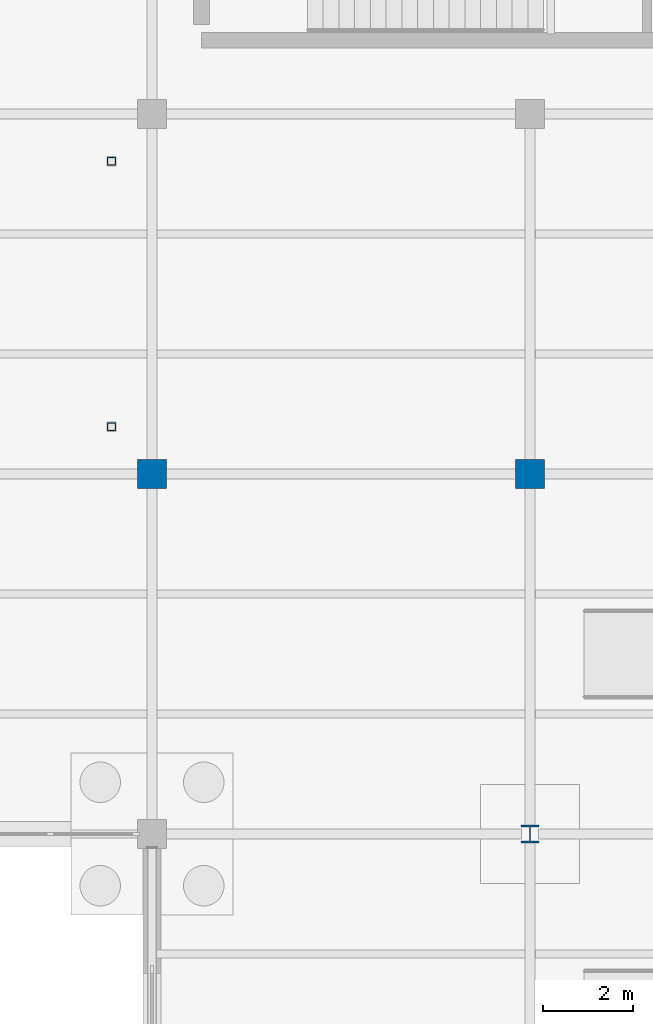
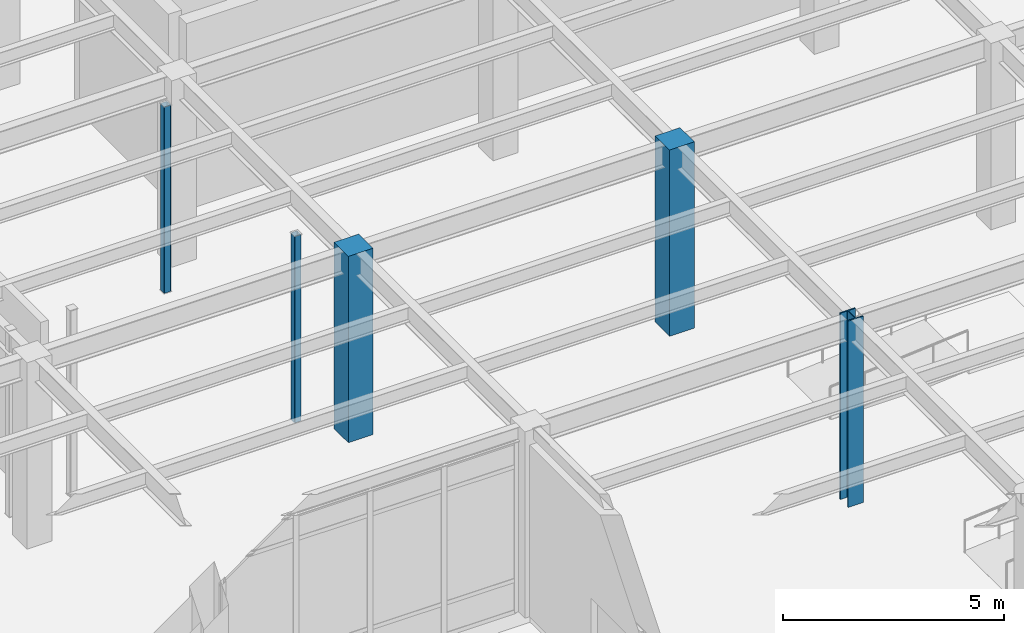
# One storey, part 7 of 138: 5 columns.
"""IFC4 building model written with IfcOpenShell, lengths in metres."""

from ifc_helpers import new_model, si_unit, direction, frame, origin, origin_2d, place, context, subcontext, project, spatial, rectangle, hollow_rectangle, i_section, extrude, material, material_profile, profile_set, type_object, element, save


model = new_model("IFC4")

# Units and contexts
model_context = context("Model", 3, precision=1e-05, world=origin(), true_north=direction((0.0, 1.0)))
body_context = subcontext(model_context, "Body", "Model", "MODEL_VIEW")
ifc_project = project(units=[si_unit("LENGTHUNIT", "METRE"), si_unit("AREAUNIT", "SQUARE_METRE"), si_unit("VOLUMEUNIT", "CUBIC_METRE"), si_unit("PLANEANGLEUNIT", "RADIAN"), si_unit("MASSUNIT", "GRAM", prefix="KILO")], contexts=[model_context])

# Site, building, storey
site_placement = place(None, origin())
site = spatial("IfcSite", under=ifc_project, at=site_placement, CompositionType="ELEMENT")
building_placement = place(site_placement, origin())
building = spatial("IfcBuilding", under=site, at=building_placement, Name="Kranzveld Transit Interchange", CompositionType="ELEMENT")
storey_placement = place(building_placement, origin())
storey = spatial("IfcBuildingStorey", under=building, at=storey_placement, Name="L00", CompositionType="ELEMENT", Elevation=0.0)

# Columns
ifc_material_1 = material(Name="Concrete C35/45", Category="concrete")
ifc_material_profile_1 = material_profile(ifc_material_1, rectangle(XDim=0.64990234375, YDim=0.64990234375, at=origin_2d()), Name="RC 650x650")
ifc_profile_set_1 = profile_set([ifc_material_profile_1], Name="Concrete C35/45")
column_type_1 = type_object("IfcColumnType", Name="Column RC 650x650 C35/45", PredefinedType="COLUMN", material=ifc_profile_set_1)
for number, where, z_axis, x_axis, name in (
    (1, (50.39990234375, 24.0, 0.0), (0.0, 0.0, 1.0), (1.0, 0.0, 0.0), "L00 Column 07/D"),
    (2, (58.800048828125, 24.0, 0.0), (0.0, 0.0, 1.0), (1.0, 0.0, 0.0), "L00 Column 08/D"),
):
    element("IfcColumn", number, at=place(storey_placement, frame(where, z_axis=z_axis, x_axis=x_axis)), inside=storey, type_object=column_type_1, Name=name, PredefinedType="COLUMN", context=body_context, shape_type="SweptSolid", body=[
        extrude(rectangle(XDim=0.64990234375, YDim=0.64990234375, at=origin_2d()), origin(), (0.0, 0.0, 1.0), 5.14990234375),
    ])
ifc_material_2 = material(Name="Steel S355JR", Category="steel")
ifc_material_profile_2 = material_profile(ifc_material_2, i_section(OverallWidth=0.39892578125, OverallDepth=0.3935546875, WebThickness=0.022705078125, FlangeThickness=0.03662109375, FilletRadius=0.01513671875, at=origin_2d()), Name="UC 356x406x287")
ifc_profile_set_2 = profile_set([ifc_material_profile_2], Name="Steel S355JR")
column_type_2 = type_object("IfcColumnType", Name="Column Steel UC 356x406x287 S355JR", PredefinedType="COLUMN", material=ifc_profile_set_2)
column_placement = place(storey_placement, frame((58.800048828125, 16.0, 0.0), z_axis=(0.0, 0.0, 1.0), x_axis=(1.0, 0.0, 0.0)))
element("IfcColumn", 3, at=column_placement, inside=storey, type_object=column_type_2, Name="L00 Column 08/C", PredefinedType="COLUMN", context=body_context, shape_type="SweptSolid", body=[
    extrude(i_section(OverallWidth=0.39892578125, OverallDepth=0.3935546875, WebThickness=0.022705078125, FlangeThickness=0.03662109375, FilletRadius=0.01513671875, at=origin_2d()), origin(), (0.0, 0.0, 1.0), 5.14990234375),
])
ifc_material_3 = material(Name="Steel S355JR", Category="steel")
ifc_material_profile_3 = material_profile(ifc_material_3, hollow_rectangle(XDim=0.179931640625, YDim=0.179931640625, WallThickness=0.008056640625, InnerFilletRadius=0.011962890625, OuterFilletRadius=0.02001953125, at=origin_2d()), Name="SHS 180x180x8")
ifc_profile_set_3 = profile_set([ifc_material_profile_3], Name="Steel S355JR")
column_type_3 = type_object("IfcColumnType", Name="Landing Post SHS 180x180x8 S355JR", PredefinedType="COLUMN", material=ifc_profile_set_3)
for number, where, z_axis, x_axis, name in (
    (4, (49.5, 25.050048828125, 0.0), (0.0, 0.0, 1.0), (1.0, 0.0, 0.0), "L00 RMP-2 Arrival Support Post 1"),
    (5, (49.5, 30.949951171875, 0.0), (0.0, 0.0, 1.0), (1.0, 0.0, 0.0), "L00 RMP-2 Arrival Support Post 2"),
):
    element("IfcColumn", number, at=place(storey_placement, frame(where, z_axis=z_axis, x_axis=x_axis)), inside=storey, type_object=column_type_3, Name=name, PredefinedType="COLUMN", context=body_context, shape_type="SweptSolid", body=[
        extrude(hollow_rectangle(XDim=0.179931640625, YDim=0.179931640625, WallThickness=0.008056640625, InnerFilletRadius=0.011962890625, OuterFilletRadius=0.02001953125, at=origin_2d()), origin(), (0.0, 0.0, 1.0), 5.14990234375),
    ])

save(model, "model.ifc")
